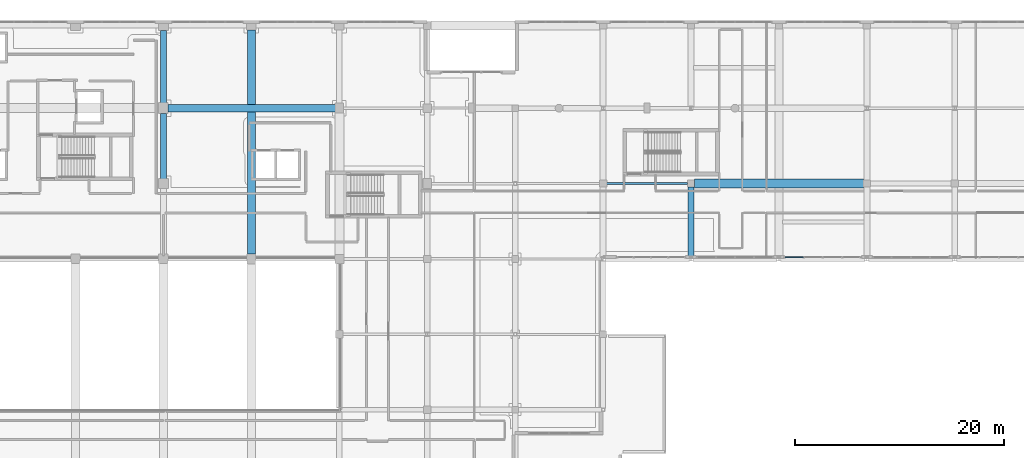
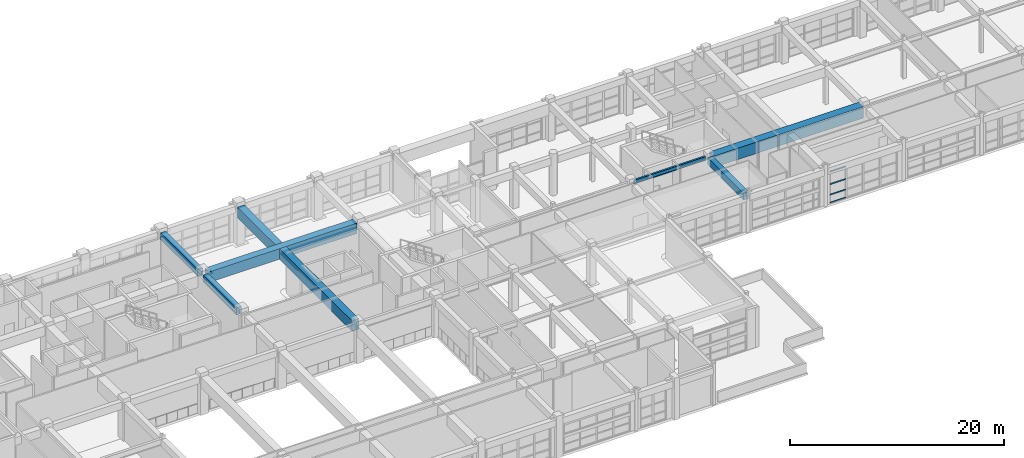
# One storey, part 61 of 123: 7 beams, 4 members, 1 element without a shape of its own.
"""IFC4 building model written with IfcOpenShell, lengths in metres."""

from ifc_helpers import new_model, si_unit, direction, frame, origin, origin_2d, place, context, subcontext, project, spatial, rectangle, hollow_rectangle, i_section, extrude, material, layer, layer_set, material_profile, profile_set, type_object, element, aggregate, save


model = new_model("IFC4")

# Units and contexts
model_context = context("Model", 3, precision=1e-05, world=origin(), true_north=direction((0.0, 1.0)))
body_context = subcontext(model_context, "Body", "Model", "MODEL_VIEW")
ifc_project = project(units=[si_unit("LENGTHUNIT", "METRE"), si_unit("AREAUNIT", "SQUARE_METRE"), si_unit("VOLUMEUNIT", "CUBIC_METRE"), si_unit("PLANEANGLEUNIT", "RADIAN"), si_unit("MASSUNIT", "GRAM", prefix="KILO")], contexts=[model_context])

# Site, building, storey
site_placement = place(None, origin())
site = spatial("IfcSite", under=ifc_project, at=site_placement, CompositionType="ELEMENT")
building_placement = place(site_placement, origin())
building = spatial("IfcBuilding", under=site, at=building_placement, Name="Quendrovan Civic Courthouse", CompositionType="ELEMENT")
storey_placement = place(building_placement, frame((0.0, 0.0, 5.39990234375)))
storey = spatial("IfcBuildingStorey", under=building, at=storey_placement, Name="L02", CompositionType="ELEMENT", Elevation=5.39990234375)

# Beams
ifc_material_1 = material(Name="Post-tensioned concrete C50/60", Category="concrete")
ifc_material_profile_1 = material_profile(ifc_material_1, rectangle(XDim=0.75, YDim=1.199951171875, at=origin_2d()), Name="PT-GIRD-750x1200")
ifc_profile_set_1 = profile_set([ifc_material_profile_1], Name="Post-tensioned concrete C50/60")
beam_type_1 = type_object("IfcBeamType", Name="BM-PT1200", PredefinedType="BEAM", material=ifc_profile_set_1)
beam_1_placement = place(storey_placement, frame((67.6298828125, 102.0, 3.760009765625), z_axis=(1.0, 0.0, 0.0), x_axis=(0.0, 1.0, 0.0)))
element("IfcBeam", 1, at=beam_1_placement, inside=storey, type_object=beam_type_1, Name="L02 Girder X0578", PredefinedType="BEAM", context=body_context, shape_type="SweptSolid", body=[
    extrude(rectangle(XDim=0.75, YDim=1.199951171875, at=origin_2d()), origin(), (0.0, 0.0, 1.0), 15.990234375),
])
beam_2_placement = place(storey_placement, frame((75.60009765625, 88.054931640625, 3.760009765625), z_axis=(0.0, 1.0, 0.0), x_axis=(-1.0, 0.0, 0.0)))
element("IfcBeam", 2, at=beam_2_placement, inside=storey, type_object=beam_type_1, Name="L02 Girder Y0667", PredefinedType="BEAM", context=body_context, shape_type="SweptSolid", body=[
    extrude(rectangle(XDim=0.75, YDim=1.199951171875, at=origin_2d()), origin(), (0.0, 0.0, 1.0), 21.4150390625),
])
ifc_material_profile_2 = material_profile(ifc_material_1, rectangle(XDim=0.85009765625, YDim=1.300048828125, at=origin_2d()), Name="PT-GRD-850x1300")
ifc_profile_set_2 = profile_set([ifc_material_profile_2], Name="Post-tensioned concrete C50/60")
beam_type_2 = type_object("IfcBeamType", Name="BM-PT1300", PredefinedType="BEAM", material=ifc_profile_set_2)
beam_3_placement = place(storey_placement, frame((117.929931640625, 94.800048828125, 3.710205078125), z_axis=(1.0, 0.0, 0.0), x_axis=(0.0, 1.0, 0.0)))
element("IfcBeam", 3, at=beam_3_placement, inside=storey, type_object=beam_type_2, Name="L02 Girder X0571", PredefinedType="BEAM", context=body_context, shape_type="SweptSolid", body=[
    extrude(rectangle(XDim=0.85009765625, YDim=1.300048828125, at=origin_2d()), origin(), (0.0, 0.0, 1.0), 16.14013671875),
])
ifc_material_2 = material(Name="Concrete C40/50", Category="concrete")
ifc_material_profile_3 = material_profile(ifc_material_2, rectangle(XDim=0.550048828125, YDim=0.800048828125, at=origin_2d()), Name="RC-BM-550x800")
ifc_profile_set_3 = profile_set([ifc_material_profile_3], Name="Concrete C40/50")
beam_type_3 = type_object("IfcBeamType", Name="BM-RC800", PredefinedType="BEAM", material=ifc_profile_set_3)
beam_4_placement = place(storey_placement, frame((67.199951171875, 95.2548828125, 3.960205078125), z_axis=(0.0, 1.0, 0.0), x_axis=(-1.0, 0.0, 0.0)))
element("IfcBeam", 4, at=beam_4_placement, inside=storey, type_object=beam_type_3, Name="L02 Girder Y0662", PredefinedType="BEAM", context=body_context, shape_type="SweptSolid", body=[
    extrude(rectangle(XDim=0.550048828125, YDim=0.800048828125, at=origin_2d()), origin(), (0.0, 0.0, 1.0), 6.240234375),
])
beam_5_placement = place(storey_placement, frame((67.199951171875, 102.5048828125, 3.960205078125), z_axis=(0.0, 1.0, 0.0), x_axis=(-1.0, 0.0, 0.0)))
element("IfcBeam", 5, at=beam_5_placement, inside=storey, type_object=beam_type_3, Name="L02 Girder Y0663", PredefinedType="BEAM", context=body_context, shape_type="SweptSolid", body=[
    extrude(rectangle(XDim=0.550048828125, YDim=0.800048828125, at=origin_2d()), origin(), (0.0, 0.0, 1.0), 6.940185546875),
])
beam_6_placement = place(storey_placement, frame((117.60009765625, 87.76611328125, 3.960205078125), z_axis=(0.0, 1.0, 0.0), x_axis=(-1.0, 0.0, 0.0)))
element("IfcBeam", 6, at=beam_6_placement, inside=storey, type_object=beam_type_3, Name="L02 Girder Y0696", PredefinedType="BEAM", context=body_context, shape_type="SweptSolid", body=[
    extrude(rectangle(XDim=0.550048828125, YDim=0.800048828125, at=origin_2d()), origin(), (0.0, 0.0, 1.0), 6.703857421875),
])
ifc_material_3 = material(Name="Steel ASTM A992 Grade 50", Category="steel")
ifc_material_profile_4 = material_profile(ifc_material_3, i_section(OverallWidth=0.18994140625, OverallDepth=0.45703125, WebThickness=0.009033203125, FlangeThickness=0.014404296875, at=origin_2d()), Name="W18X50")
ifc_profile_set_4 = profile_set([ifc_material_profile_4], Name="Steel ASTM A992 Grade 50")
beam_type_4 = type_object("IfcBeamType", Name="BM-STL-W18", PredefinedType="JOIST", material=ifc_profile_set_4)
beam_7_placement = place(storey_placement, frame((109.530029296875, 94.800048828125, 4.131591796875), z_axis=(1.0, 0.0, 0.0), x_axis=(0.0, 1.0, 0.0)))
element("IfcBeam", 7, at=beam_7_placement, inside=storey, type_object=beam_type_4, Name="L02 Girder X0570", PredefinedType="JOIST", context=body_context, shape_type="SweptSolid", body=[
    extrude(i_section(OverallWidth=0.18994140625, OverallDepth=0.45703125, WebThickness=0.009033203125, FlangeThickness=0.014404296875, at=origin_2d()), origin(), (0.0, 0.0, 1.0), 7.739990234375),
])

# Curtain wall, members
ifc_material_4 = material(Name="Bronze anodised aluminium and low-E glass", Category="aluminium")
ifc_layer = layer(ifc_material_4, 0.179931640625, Name="Bronze anodised aluminium and low-E glass")
ifc_layer_set = layer_set([ifc_layer], Name="Bronze anodised aluminium and low-E glass")
curtain_wall_type = type_object("IfcCurtainWallType", Name="CW-U73x36", PredefinedType="USERDEFINED", material=ifc_layer_set)
curtain_wall_placement = place(storey_placement, origin())
curtain_wall = element("IfcCurtainWall", 8, at=curtain_wall_placement, inside=storey, type_object=curtain_wall_type, Name="L02 Unitised Hurricane Curtain Wall CW-102", ObjectType="UNITISED CURTAIN WALL", PredefinedType="USERDEFINED")
ifc_material_5 = material(Name="Bronze anodised aluminium", Category="aluminium")
ifc_material_profile_5 = material_profile(ifc_material_5, hollow_rectangle(XDim=0.070068359375, YDim=0.139892578125, WallThickness=0.00390625, at=origin_2d()), Name="CW-TRAN-70x140")
ifc_profile_set_5 = profile_set([ifc_material_profile_5], Name="Bronze anodised aluminium")
member_type = type_object("IfcMemberType", Name="CW-TRAN-A", PredefinedType="USERDEFINED", material=ifc_profile_set_5)
member_1_placement = place(storey_placement, frame((128.33349609375, 87.764892578125, 0.03515625), z_axis=(-1.0, 0.0, 0.0), x_axis=(0.0, -1.0, 0.0)))
member_1 = element("IfcMember", 9, at=member_1_placement, type_object=member_type, Name="CW-102 transom 4.1", ObjectType="TRANSOM", PredefinedType="USERDEFINED", context=body_context, shape_type="SweptSolid", body=[
    extrude(hollow_rectangle(XDim=0.070068359375, YDim=0.139892578125, WallThickness=0.00390625, at=origin_2d()), origin(), (0.0, 0.0, 1.0), 1.7265625),
])
member_2_placement = place(storey_placement, frame((128.33349609375, 87.764892578125, 0.9501953125), z_axis=(-1.0, 0.0, 0.0), x_axis=(0.0, -1.0, 0.0)))
member_2 = element("IfcMember", 10, at=member_2_placement, type_object=member_type, Name="CW-102 transom 4.2", ObjectType="TRANSOM", PredefinedType="USERDEFINED", context=body_context, shape_type="SweptSolid", body=[
    extrude(hollow_rectangle(XDim=0.070068359375, YDim=0.139892578125, WallThickness=0.00390625, at=origin_2d()), origin(), (0.0, 0.0, 1.0), 1.7265625),
])
member_3_placement = place(storey_placement, frame((128.33349609375, 87.764892578125, 2.150146484375), z_axis=(-1.0, 0.0, 0.0), x_axis=(0.0, -1.0, 0.0)))
member_3 = element("IfcMember", 11, at=member_3_placement, type_object=member_type, Name="CW-102 transom 4.3", ObjectType="TRANSOM", PredefinedType="USERDEFINED", context=body_context, shape_type="SweptSolid", body=[
    extrude(hollow_rectangle(XDim=0.070068359375, YDim=0.139892578125, WallThickness=0.00390625, at=origin_2d()), origin(), (0.0, 0.0, 1.0), 1.7265625),
])
member_4_placement = place(storey_placement, frame((128.33349609375, 87.764892578125, 3.565185546875), z_axis=(-1.0, 0.0, 0.0), x_axis=(0.0, -1.0, 0.0)))
member_4 = element("IfcMember", 12, at=member_4_placement, type_object=member_type, Name="CW-102 transom 4.4", ObjectType="TRANSOM", PredefinedType="USERDEFINED", context=body_context, shape_type="SweptSolid", body=[
    extrude(hollow_rectangle(XDim=0.070068359375, YDim=0.139892578125, WallThickness=0.00390625, at=origin_2d()), origin(), (0.0, 0.0, 1.0), 1.7265625),
])
aggregate(curtain_wall, [member_1, member_2, member_3, member_4])

save(model, "model.ifc")
